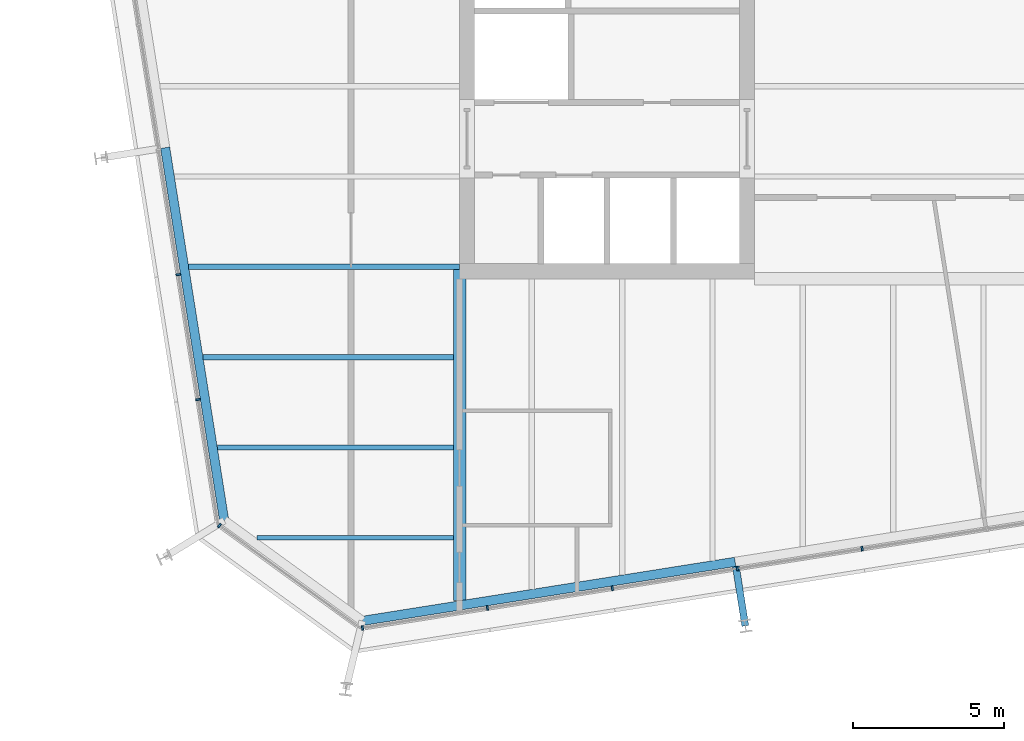
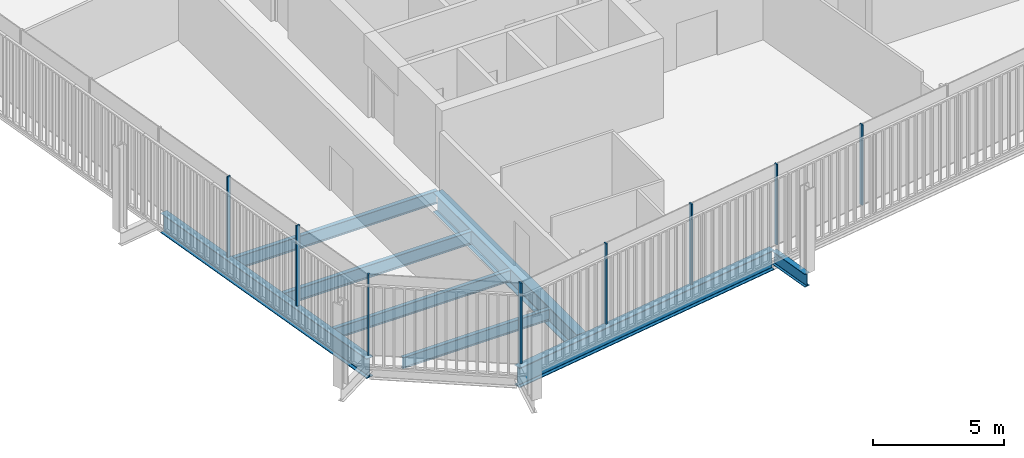
# One storey, part 2 of 20: 8 beams, 8 members, 3 elements without a shape of their own.
"""IFC4 building model written with IfcOpenShell, lengths in metres."""

from ifc_helpers import new_model, si_unit, direction, frame, origin, origin_2d, place, context, subcontext, project, spatial, rectangle, i_section, extrude, material, layer, layer_set, material_profile, profile_set, type_object, element, aggregate, save


model = new_model("IFC4")

# Units and contexts
model_context = context("Model", 3, precision=1e-05, world=origin(), true_north=direction((0.0, 1.0)))
body_context = subcontext(model_context, "Body", "Model", "MODEL_VIEW")
ifc_project = project(units=[si_unit("LENGTHUNIT", "METRE"), si_unit("AREAUNIT", "SQUARE_METRE"), si_unit("VOLUMEUNIT", "CUBIC_METRE"), si_unit("PLANEANGLEUNIT", "RADIAN"), si_unit("MASSUNIT", "GRAM", prefix="KILO")], contexts=[model_context])

# Site, building, storey
site_placement = place(None, origin())
site = spatial("IfcSite", under=ifc_project, at=site_placement, CompositionType="ELEMENT")
building_placement = place(site_placement, origin())
building = spatial("IfcBuilding", under=site, at=building_placement, Name="Millrace Tower", CompositionType="ELEMENT")
storey_placement = place(building_placement, frame((0.0, 0.0, 224.199951171875)))
storey = spatial("IfcBuildingStorey", under=building, at=storey_placement, Name="L51", CompositionType="ELEMENT", Elevation=224.199951171875)

# Curtain wall, member
ifc_material_1 = material(Name="Aluminium and glass", Category="aluminium")
ifc_layer = layer(ifc_material_1, 0.14990234375)
ifc_layer_set = layer_set([ifc_layer], Name="Aluminium and glass")
curtain_wall_type = type_object("IfcCurtainWallType", Name="CW-1 office vision curtain wall", PredefinedType="NOTDEFINED", material=ifc_layer_set)
placement = place(storey_placement, origin())
curtain_wall_1 = element("IfcCurtainWall", 1, at=placement, inside=storey, type_object=curtain_wall_type, Name="Curtain wall D-F01 L51", PredefinedType="NOTDEFINED")
ifc_material_2 = material(Name="Aluminium", Category="aluminium")
ifc_material_profile_1 = material_profile(ifc_material_2, rectangle(XDim=0.06494140625, YDim=0.14990234375, at=origin_2d()))
ifc_profile_set_1 = profile_set([ifc_material_profile_1], Name="Aluminium")
member_type = type_object("IfcMemberType", Name="CW-1 office vision curtain wall mullion", PredefinedType="MULLION", material=ifc_profile_set_1)
member_1_placement = place(storey_placement, frame((-22.3779296875, -17.594970703125, 0.14013671875), z_axis=(0.0, 0.0, 1.0), x_axis=(0.809016955361, -0.587785305991, 0.0)))
member_1 = element("IfcMember", 2, at=member_1_placement, type_object=member_type, Name="CW1 mullion D-F01.1", PredefinedType="MULLION", context=body_context, shape_type="SweptSolid", body=[
    extrude(rectangle(XDim=0.06494140625, YDim=0.14990234375, at=origin_2d()), origin(), (0.0, 0.0, 1.0), 3.760009765625),
])
aggregate(curtain_wall_1, [member_1])

# Curtain wall, members
curtain_wall_2 = element("IfcCurtainWall", 3, at=placement, inside=storey, type_object=curtain_wall_type, Name="Curtain wall D-F02 L51", PredefinedType="NOTDEFINED")
member_2_placement = place(storey_placement, frame((-17.62548828125, -20.992431640625, 0.14013671875), z_axis=(0.0, 0.0, 1.0), x_axis=(0.987688339511, 0.156434471884, 0.0)))
member_2 = element("IfcMember", 4, at=member_2_placement, type_object=member_type, Name="CW1 mullion D-F02.1", PredefinedType="MULLION", context=body_context, shape_type="SweptSolid", body=[
    extrude(rectangle(XDim=0.06494140625, YDim=0.14990234375, at=origin_2d()), origin(), (0.0, 0.0, 1.0), 3.760009765625),
])
member_3_placement = place(storey_placement, frame((-13.477294921875, -20.33544921875, 0.14013671875), z_axis=(0.0, 0.0, 1.0), x_axis=(0.987688339511, 0.156434471884, 0.0)))
member_3 = element("IfcMember", 5, at=member_3_placement, type_object=member_type, Name="CW1 mullion D-F02.2", PredefinedType="MULLION", context=body_context, shape_type="SweptSolid", body=[
    extrude(rectangle(XDim=0.06494140625, YDim=0.14990234375, at=origin_2d()), origin(), (0.0, 0.0, 1.0), 3.760009765625),
])
member_4_placement = place(storey_placement, frame((-9.328857421875, -19.678466796875, 0.14013671875), z_axis=(0.0, 0.0, 1.0), x_axis=(0.987688339511, 0.156434471884, 0.0)))
member_4 = element("IfcMember", 6, at=member_4_placement, type_object=member_type, Name="CW1 mullion D-F02.3", PredefinedType="MULLION", context=body_context, shape_type="SweptSolid", body=[
    extrude(rectangle(XDim=0.06494140625, YDim=0.14990234375, at=origin_2d()), origin(), (0.0, 0.0, 1.0), 3.760009765625),
])
member_5_placement = place(storey_placement, frame((-5.1806640625, -19.021240234375, 0.14013671875), z_axis=(0.0, 0.0, 1.0), x_axis=(0.987688339511, 0.156434471884, 0.0)))
member_5 = element("IfcMember", 7, at=member_5_placement, type_object=member_type, Name="CW1 mullion D-F02.4", PredefinedType="MULLION", context=body_context, shape_type="SweptSolid", body=[
    extrude(rectangle(XDim=0.06494140625, YDim=0.14990234375, at=origin_2d()), origin(), (0.0, 0.0, 1.0), 3.760009765625),
])
member_6_placement = place(storey_placement, frame((-1.0322265625, -18.3642578125, 0.14013671875), z_axis=(0.0, 0.0, 1.0), x_axis=(0.987688339511, 0.156434471884, 0.0)))
member_6 = element("IfcMember", 8, at=member_6_placement, type_object=member_type, Name="CW1 mullion D-F02.5", PredefinedType="MULLION", context=body_context, shape_type="SweptSolid", body=[
    extrude(rectangle(XDim=0.06494140625, YDim=0.14990234375, at=origin_2d()), origin(), (0.0, 0.0, 1.0), 3.760009765625),
])
aggregate(curtain_wall_2, [member_2, member_3, member_4, member_5, member_6])

curtain_wall_3 = element("IfcCurtainWall", 9, at=placement, inside=storey, type_object=curtain_wall_type, Name="Curtain wall D-F08 L51", PredefinedType="NOTDEFINED")
member_7_placement = place(storey_placement, frame((-23.7431640625, -9.262451171875, 0.14013671875), z_axis=(0.0, 0.0, 1.0), x_axis=(0.156434471884, -0.987688339511, 0.0)))
member_7 = element("IfcMember", 10, at=member_7_placement, type_object=member_type, Name="CW1 mullion D-F08.8", PredefinedType="MULLION", context=body_context, shape_type="SweptSolid", body=[
    extrude(rectangle(XDim=0.06494140625, YDim=0.14990234375, at=origin_2d()), origin(), (0.0, 0.0, 1.0), 3.760009765625),
])
member_8_placement = place(storey_placement, frame((-23.086181640625, -13.410888671875, 0.14013671875), z_axis=(0.0, 0.0, 1.0), x_axis=(0.156434471884, -0.987688339511, 0.0)))
member_8 = element("IfcMember", 11, at=member_8_placement, type_object=member_type, Name="CW1 mullion D-F08.9", PredefinedType="MULLION", context=body_context, shape_type="SweptSolid", body=[
    extrude(rectangle(XDim=0.06494140625, YDim=0.14990234375, at=origin_2d()), origin(), (0.0, 0.0, 1.0), 3.760009765625),
])
aggregate(curtain_wall_3, [member_7, member_8])

# Beams
ifc_material_3 = material(Name="Steel ASTM A992 Grade 50", Category="steel")
ifc_material_profile_2 = material_profile(ifc_material_3, i_section(OverallWidth=0.1650390625, OverallDepth=0.52587890625, WebThickness=0.0087890625, FlangeThickness=0.011474609375, FilletRadius=0.0126953125, at=origin_2d()))
ifc_profile_set_2 = profile_set([ifc_material_profile_2], Name="Steel ASTM A992 Grade 50")
beam_type_1 = type_object("IfcBeamType", Name="Floor beam W21x44", PredefinedType="JOIST", material=ifc_profile_set_2)
beam_1_placement = place(storey_placement, frame((-22.447509765625, -15.0, -0.4228515625), z_axis=(1.0, 0.0, 0.0), x_axis=(0.0, 1.0, 0.0)))
element("IfcBeam", 12, at=beam_1_placement, inside=storey, type_object=beam_type_1, Name="BM-D-L51-S1-S002", PredefinedType="JOIST", context=body_context, shape_type="SweptSolid", body=[
    extrude(i_section(OverallWidth=0.1650390625, OverallDepth=0.52587890625, WebThickness=0.0087890625, FlangeThickness=0.011474609375, FilletRadius=0.0126953125, at=origin_2d()), origin(), (0.0, 0.0, 1.0), 7.837890625),
])
beam_2_placement = place(storey_placement, frame((-21.13427734375, -18.0, -0.4228515625), z_axis=(1.0, 0.0, 0.0), x_axis=(0.0, 1.0, 0.0)))
element("IfcBeam", 13, at=beam_2_placement, inside=storey, type_object=beam_type_1, Name="BM-D-L51-S1-S001", PredefinedType="JOIST", context=body_context, shape_type="SweptSolid", body=[
    extrude(i_section(OverallWidth=0.1650390625, OverallDepth=0.52587890625, WebThickness=0.0087890625, FlangeThickness=0.011474609375, FilletRadius=0.0126953125, at=origin_2d()), origin(), (0.0, 0.0, 1.0), 6.524658203125),
])
ifc_material_4 = material(Name="Steel ASTM A992 Grade 50", Category="steel")
ifc_material_profile_3 = material_profile(ifc_material_4, i_section(OverallWidth=0.177978515625, OverallDepth=0.599365234375, WebThickness=0.010009765625, FlangeThickness=0.012939453125, FilletRadius=0.012939453125, at=origin_2d()))
ifc_profile_set_3 = profile_set([ifc_material_profile_3], Name="Steel ASTM A992 Grade 50")
beam_type_2 = type_object("IfcBeamType", Name="Floor beam W24x55", PredefinedType="JOIST", material=ifc_profile_set_3)
beam_3_placement = place(storey_placement, frame((-22.922607421875, -12.0, -0.459716796875), z_axis=(1.0, 0.0, 0.0), x_axis=(0.0, 1.0, 0.0)))
element("IfcBeam", 14, at=beam_3_placement, inside=storey, type_object=beam_type_2, Name="BM-D-L51-S1-S004", PredefinedType="JOIST", context=body_context, shape_type="SweptSolid", body=[
    extrude(i_section(OverallWidth=0.177978515625, OverallDepth=0.599365234375, WebThickness=0.010009765625, FlangeThickness=0.012939453125, FilletRadius=0.012939453125, at=origin_2d()), origin(), (0.0, 0.0, 1.0), 8.31298828125),
])
beam_4_placement = place(storey_placement, frame((-23.397705078125, -9.0, -0.459716796875), z_axis=(1.0, 0.0, 0.0), x_axis=(0.0, 1.0, 0.0)))
element("IfcBeam", 15, at=beam_4_placement, inside=storey, type_object=beam_type_2, Name="BM-D-L51-S1-S006", PredefinedType="JOIST", context=body_context, shape_type="SweptSolid", body=[
    extrude(i_section(OverallWidth=0.177978515625, OverallDepth=0.599365234375, WebThickness=0.010009765625, FlangeThickness=0.012939453125, FilletRadius=0.012939453125, at=origin_2d()), origin(), (0.0, 0.0, 1.0), 8.997802734375),
])
ifc_material_5 = material(Name="Steel ASTM A992 Grade 50", Category="steel")
ifc_material_profile_4 = material_profile(ifc_material_5, i_section(OverallWidth=0.419189453125, OverallDepth=0.927001953125, WebThickness=0.019287109375, FlangeThickness=0.031982421875, FilletRadius=0.024169921875, at=origin_2d()))
ifc_profile_set_4 = profile_set([ifc_material_profile_4], Name="Steel ASTM A992 Grade 50")
beam_type_3 = type_object("IfcBeamType", Name="Girder short span W36x231", PredefinedType="BEAM", material=ifc_profile_set_4)
beam_5_placement = place(storey_placement, frame((-14.39990234375, -20.08642578125, -0.62353515625), z_axis=(0.0, 1.0, 0.0), x_axis=(-1.0, 0.0, 0.0)))
element("IfcBeam", 16, at=beam_5_placement, inside=storey, type_object=beam_type_3, Name="BM-D-L51-S1-G055", PredefinedType="BEAM", context=body_context, shape_type="SweptSolid", body=[
    extrude(i_section(OverallWidth=0.419189453125, OverallDepth=0.927001953125, WebThickness=0.019287109375, FlangeThickness=0.031982421875, FilletRadius=0.024169921875, at=origin_2d()), origin(), (0.0, 0.0, 1.0), 10.994384765625),
])
ifc_material_6 = material(Name="Steel ASTM A992 Grade 50", Category="steel")
ifc_material_profile_5 = material_profile(ifc_material_6, i_section(OverallWidth=0.23046875, OverallDepth=0.6171875, WebThickness=0.01318359375, FlangeThickness=0.022216796875, FilletRadius=0.012939453125, at=origin_2d()))
ifc_profile_set_5 = profile_set([ifc_material_profile_5], Name="Steel ASTM A992 Grade 50")
beam_type_4 = type_object("IfcBeamType", Name="Link beam W24x94", PredefinedType="BEAM", material=ifc_profile_set_5)
beam_6_placement = place(storey_placement, frame((-5.224365234375, -18.952392578125, -0.468505859375), z_axis=(0.15637629034, -0.987697552806, 0.0), x_axis=(0.987697552806, 0.15637629034, 0.0)))
element("IfcBeam", 17, at=beam_6_placement, inside=storey, type_object=beam_type_4, Name="LNK-D-L51-S1-15", PredefinedType="BEAM", context=body_context, shape_type="SweptSolid", body=[
    extrude(i_section(OverallWidth=0.23046875, OverallDepth=0.6171875, WebThickness=0.01318359375, FlangeThickness=0.022216796875, FilletRadius=0.012939453125, at=origin_2d()), origin(), (0.0, 0.0, 1.0), 2.0),
])
ifc_material_7 = material(Name="Steel ASTM A992 Grade 50", Category="steel")
ifc_material_profile_6 = material_profile(ifc_material_7, i_section(OverallWidth=0.307373046875, OverallDepth=0.927001953125, WebThickness=0.01953125, FlangeThickness=0.031982421875, FilletRadius=0.01904296875, at=origin_2d()))
ifc_profile_set_6 = profile_set([ifc_material_profile_6], Name="Steel ASTM A992 Grade 50")
beam_type_5 = type_object("IfcBeamType", Name="Ring beam medium span W36x194", PredefinedType="SPANDREL", material=ifc_profile_set_6)
beam_7_placement = place(storey_placement, frame((-22.218505859375, -17.428466796875, -0.62353515625), z_axis=(-0.156419577072, 0.987690698503, 0.0), x_axis=(-0.987690698503, -0.156419577072, 0.0)))
element("IfcBeam", 18, at=beam_7_placement, inside=storey, type_object=beam_type_5, Name="RNG-D-L51-S1-01", PredefinedType="SPANDREL", context=body_context, shape_type="SweptSolid", body=[
    extrude(i_section(OverallWidth=0.307373046875, OverallDepth=0.927001953125, WebThickness=0.01953125, FlangeThickness=0.031982421875, FilletRadius=0.01904296875, at=origin_2d()), origin(), (0.0, 0.0, 1.0), 12.536376953125),
])
beam_8_placement = place(storey_placement, frame((-5.24853515625, -18.800537109375, -0.62353515625), z_axis=(-0.987687213011, -0.156441584157, 0.0), x_axis=(0.156441584157, -0.987687213011, 0.0)))
element("IfcBeam", 19, at=beam_8_placement, inside=storey, type_object=beam_type_5, Name="RNG-D-L51-S1-15", PredefinedType="SPANDREL", context=body_context, shape_type="SweptSolid", body=[
    extrude(i_section(OverallWidth=0.307373046875, OverallDepth=0.927001953125, WebThickness=0.01953125, FlangeThickness=0.031982421875, FilletRadius=0.01904296875, at=origin_2d()), origin(), (0.0, 0.0, 1.0), 12.5361328125),
])

save(model, "model.ifc")
